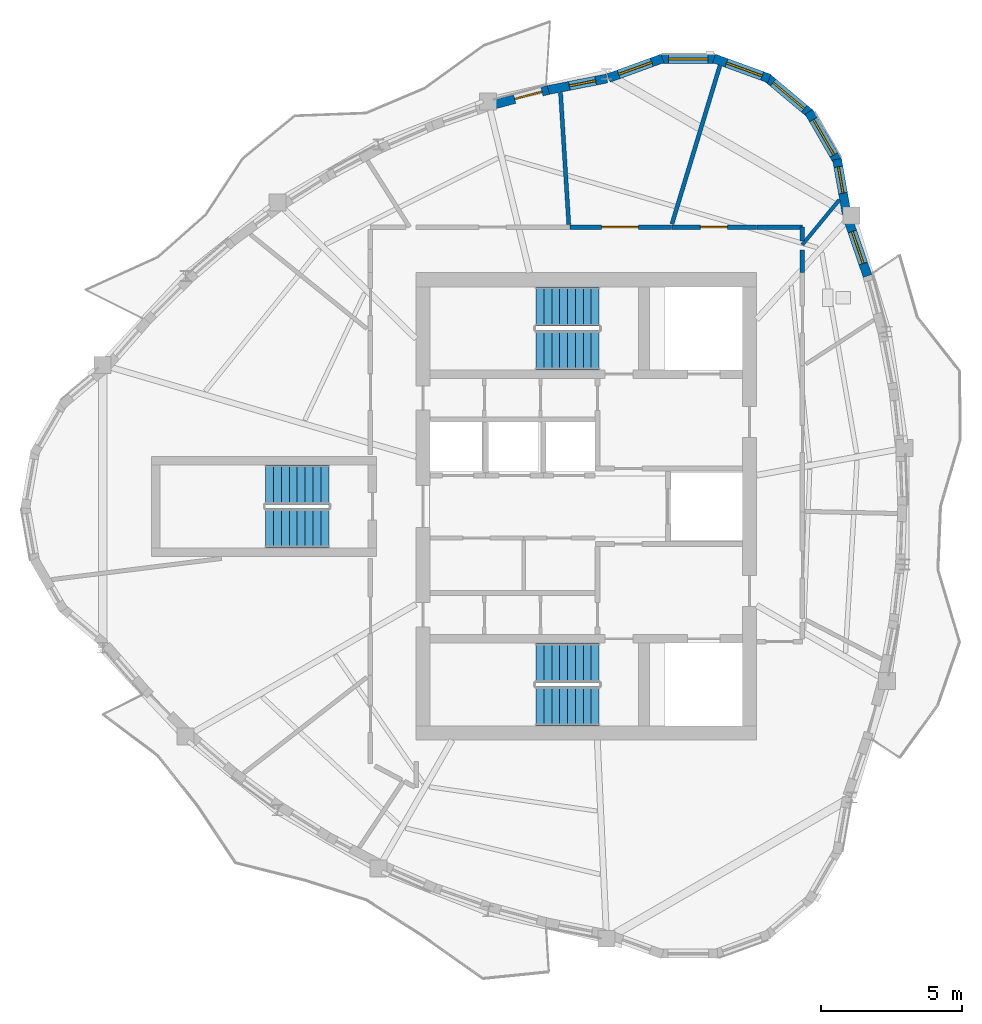
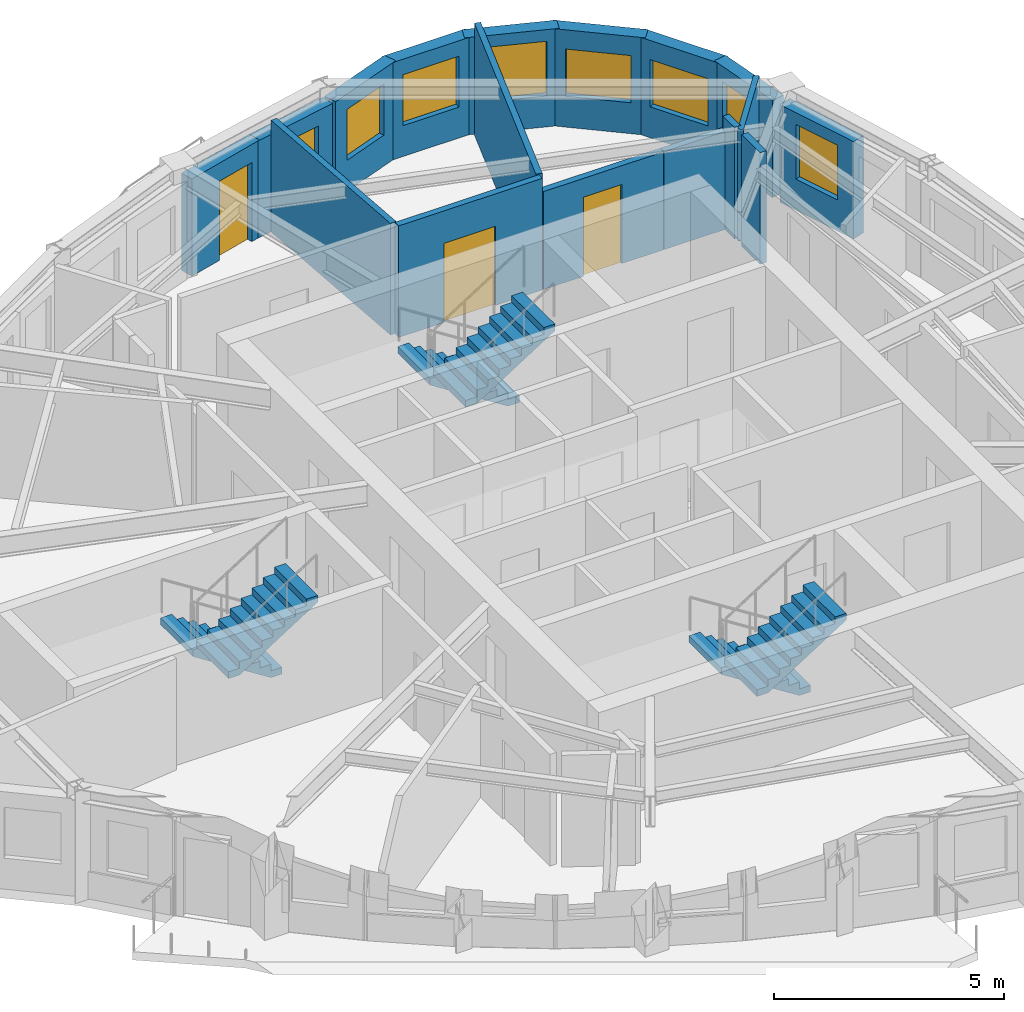
# One storey, part 7 of 11: 17 walls, 8 windows, 6 stair flights, 3 doors, 11 openings, 3 elements without a shape of their own.
"""IFC4 building model written with IfcOpenShell, lengths in metres."""

from ifc_helpers import new_model, si_unit, direction, frame, frame_2d, origin, place, context, subcontext, project, spatial, polyline, rectangle, outline, extrude, source, transform, mapped, material, layer, layer_set, type_object, element, fill, aggregate, save


model = new_model("IFC4")

# Units and contexts
model_context = context("Model", 3, precision=1e-05, world=origin(), true_north=direction((0.0, 1.0)))
body_context = subcontext(model_context, "Body", "Model", "MODEL_VIEW")
ifc_project = project(units=[si_unit("LENGTHUNIT", "METRE"), si_unit("AREAUNIT", "SQUARE_METRE"), si_unit("VOLUMEUNIT", "CUBIC_METRE"), si_unit("PLANEANGLEUNIT", "RADIAN"), si_unit("MASSUNIT", "GRAM", prefix="KILO")], contexts=[model_context])

# Site, building, storey
site_placement = place(None, origin())
site = spatial("IfcSite", under=ifc_project, at=site_placement, CompositionType="ELEMENT")
building_placement = place(site_placement, origin())
building = spatial("IfcBuilding", under=site, at=building_placement, Name="Qafzar Sky-Pleat Residences", CompositionType="ELEMENT")
storey_placement = place(building_placement, frame((0.0, 0.0, 246.800048828125)))
storey = spatial("IfcBuildingStorey", under=building, at=storey_placement, Name="L74", CompositionType="ELEMENT", Elevation=246.800048828125)

# Wall, opening, door
ifc_material_1 = material(Name="Acoustic gypsum plasterboard partition", Category="gypsum")
ifc_layer_1 = layer(ifc_material_1, 0.159912109375)
ifc_layer_set_1 = layer_set([ifc_layer_1], Name="Acoustic gypsum plasterboard partition")
wall_type_1 = type_object("IfcWallType", Name="PART-COR-160", PredefinedType="PARTITIONING", material=ifc_layer_set_1)
wall_1_placement = place(storey_placement, frame((29.760986328125, 35.919921875, 0.0), z_axis=(0.0, 0.0, 1.0), x_axis=(1.0, 0.0, 0.0)))
wall_1 = element("IfcWall", 1, at=wall_1_placement, inside=storey, type_object=wall_type_1, Name="L74 Partition Wall PART-L74-PW-006", PredefinedType="PARTITIONING", context=body_context, shape_type="SweptSolid", body=[
    extrude(rectangle(XDim=3.610107421875, YDim=0.159912109375, at=frame_2d((1.80517578125, 0.0))), origin(), (0.0, 0.0, 1.0), 2.9599609375),
])
opening_1_placement = place(wall_1_placement, frame((1.132568359375, 0.0, 0.0)))
opening_1 = element("IfcOpeningElement", 2, at=opening_1_placement, cuts=wall_1, Name="Opening ID-05", PredefinedType="OPENING", context=body_context, shape_type="SweptSolid", body=[
    extrude(rectangle(XDim=1.300048828125, YDim=2.10009765625, at=frame_2d((0.64990234375, 1.050048828125))), frame((0.0, 0.08984375, 0.0), z_axis=(0.0, -1.0, 0.0), x_axis=(1.0, 0.0, 0.0)), (0.0, 0.0, 1.0), 0.179931640625),
])
ifc_material_2 = material(Name="Timber-faced fire door", Category="wood")
door_type_1 = type_object("IfcDoorType", Name="DR-LNG-1300", OperationType="DOUBLE_DOOR_SINGLE_SWING", PredefinedType="DOOR", material=ifc_material_2)
shared_shape_1 = source(origin(), body_context, "Body", "SweptSolid", [
    extrude(rectangle(XDim=1.300048828125, YDim=2.10009765625, at=frame_2d((0.64990234375, 1.050048828125))), frame((0.0, 0.02490234375, 0.0), z_axis=(0.0, -1.0, 0.0), x_axis=(1.0, 0.0, 0.0)), (0.0, 0.0, 1.0), 0.050048828125),
])
door_1_placement = place(opening_1_placement, origin())
door_1 = element("IfcDoor", 3, at=door_1_placement, inside=storey, type_object=door_type_1, Name="L74 Graduate Lecture Room Door", OperationType="DOUBLE_DOOR_SINGLE_SWING", OverallHeight=2.10009765625, OverallWidth=1.300048828125, PredefinedType="DOOR", context=body_context, shape_type="MappedRepresentation", body=[
    mapped(shared_shape_1, transform((0.0, 0.0, 0.0), x_axis=(1.0, 0.0, 0.0), y_axis=(0.0, 1.0, 0.0), z_axis=(0.0, 0.0, 1.0), scale=1.0)),
])
fill(opening_1, door_1)

wall_2_placement = place(storey_placement, frame((33.385986328125, 35.919921875, 0.0), z_axis=(0.0, 0.0, 1.0), x_axis=(1.0, 0.0, 0.0)))
wall_2 = element("IfcWall", 4, at=wall_2_placement, inside=storey, type_object=wall_type_1, Name="L74 Partition Wall PART-L74-PW-009", PredefinedType="PARTITIONING", context=body_context, shape_type="SweptSolid", body=[
    extrude(rectangle(XDim=3.013916015625, YDim=0.159912109375, at=frame_2d((1.5068359375, 0.0))), origin(), (0.0, 0.0, 1.0), 2.597900390625),
])
opening_2_placement = place(wall_2_placement, frame((1.011962890625, 0.0, 0.0)))
opening_2 = element("IfcOpeningElement", 5, at=opening_2_placement, cuts=wall_2, Name="Opening ID-06", PredefinedType="OPENING", context=body_context, shape_type="SweptSolid", body=[
    extrude(rectangle(XDim=0.9599609375, YDim=2.10009765625, at=frame_2d((0.47998046875, 1.050048828125))), frame((0.0, 0.08984375, 0.0), z_axis=(0.0, -1.0, 0.0), x_axis=(1.0, 0.0, 0.0)), (0.0, 0.0, 1.0), 0.179931640625),
])
door_type_2 = type_object("IfcDoorType", Name="DR-STD-960", OperationType="NOTDEFINED", PredefinedType="DOOR", material=ifc_material_2)
shared_shape_2 = source(origin(), body_context, "Body", "SweptSolid", [
    extrude(rectangle(XDim=0.9599609375, YDim=2.10009765625, at=frame_2d((0.47998046875, 1.050048828125))), frame((0.0, 0.02490234375, 0.0), z_axis=(0.0, -1.0, 0.0), x_axis=(1.0, 0.0, 0.0)), (0.0, 0.0, 1.0), 0.050048828125),
])
door_2_placement = place(opening_2_placement, origin())
door_2 = element("IfcDoor", 6, at=door_2_placement, inside=storey, type_object=door_type_2, Name="L74 Faculty Research Office Door", OperationType="SINGLE_SWING_RIGHT", OverallHeight=2.10009765625, OverallWidth=0.9599609375, PredefinedType="DOOR", context=body_context, shape_type="MappedRepresentation", body=[
    mapped(shared_shape_2, transform((0.0, 0.0, 0.0), x_axis=(1.0, 0.0, 0.0), y_axis=(0.0, 1.0, 0.0), z_axis=(0.0, 0.0, 1.0), scale=1.0)),
])
fill(opening_2, door_2)

# Walls
wall_3_placement = place(storey_placement, frame((36.4150390625, 35.919921875, 0.0), z_axis=(0.0, 0.0, 1.0), x_axis=(1.0, 0.0, 0.0)))
element("IfcWall", 7, at=wall_3_placement, inside=storey, type_object=wall_type_1, Name="L74 Partition Wall PART-L74-PW-023", PredefinedType="PARTITIONING", context=body_context, shape_type="SweptSolid", body=[
    extrude(rectangle(XDim=1.60498046875, YDim=0.159912109375, at=frame_2d((0.802490234375, 0.0))), origin(), (0.0, 0.0, 1.0), 2.597900390625),
])
wall_4_placement = place(storey_placement, frame((38.02001953125, 34.31494140625, 0.0), z_axis=(0.0, 0.0, 1.0), x_axis=(0.0, 1.0, 0.0)))
element("IfcWall", 8, at=wall_4_placement, inside=storey, type_object=wall_type_1, Name="L74 Partition Wall PART-L74-PW-026", PredefinedType="PARTITIONING", context=body_context, shape_type="SweptSolid", body=[
    extrude(rectangle(XDim=0.7958984375, YDim=0.159912109375, at=frame_2d((0.39794921875, 0.0))), origin(), (0.0, 0.0, 1.0), 2.9599609375),
])
wall_5_placement = place(storey_placement, frame((38.02001953125, 35.423095703125, 0.0), z_axis=(0.0, 0.0, 1.0), x_axis=(0.0, 1.0, 0.0)))
element("IfcWall", 9, at=wall_5_placement, inside=storey, type_object=wall_type_1, Name="L74 Partition Wall PART-L74-PW-031", PredefinedType="PARTITIONING", context=body_context, shape_type="SweptSolid", body=[
    extrude(rectangle(XDim=0.496826171875, YDim=0.159912109375, at=frame_2d((0.24853515625, 0.0))), origin(), (0.0, 0.0, 1.0), 2.9599609375),
])
ifc_layer_2 = layer(ifc_material_1, 0.14501953125)
ifc_layer_set_2 = layer_set([ifc_layer_2], Name="Acoustic gypsum plasterboard partition")
wall_type_2 = type_object("IfcWallType", Name="PART-UNIT-145", PredefinedType="PARTITIONING", material=ifc_layer_set_2)
wall_6_placement = place(storey_placement, frame((33.388916015625, 36.02880859375, 0.0), z_axis=(0.0, 0.0, 1.0), x_axis=(0.289965875663, 0.957036985153, 0.0)))
element("IfcWall", 10, at=wall_6_placement, inside=storey, type_object=wall_type_2, Name="L74 Partition Wall PART-L74-PW-013", PredefinedType="PARTITIONING", context=body_context, shape_type="SweptSolid", body=[
    extrude(rectangle(XDim=5.875244140625, YDim=0.14501953125, at=frame_2d((2.9375, 0.0))), origin(), (0.0, 0.0, 1.0), 2.9599609375),
])
wall_7_placement = place(storey_placement, frame((29.4326171875, 40.693603515625, 0.0), z_axis=(0.0, 0.0, 1.0), x_axis=(0.062358842424, -0.998053793526, 0.0)))
element("IfcWall", 11, at=wall_7_placement, inside=storey, type_object=wall_type_2, Name="L74 Partition Wall PART-L74-PW-016", PredefinedType="PARTITIONING", context=body_context, shape_type="SweptSolid", body=[
    extrude(rectangle(XDim=4.690185546875, YDim=0.14501953125, at=frame_2d((2.34521484375, 0.0))), origin(), (0.0, 0.0, 1.0), 2.9599609375),
])
ifc_material_3 = material(Name="Moisture-resistant gypsum partition", Category="gypsum")
ifc_layer_3 = layer(ifc_material_3, 0.1298828125)
ifc_layer_set_3 = layer_set([ifc_layer_3], Name="Moisture-resistant gypsum partition")
wall_type_3 = type_object("IfcWallType", Name="PART-WET-130", PredefinedType="PARTITIONING", material=ifc_layer_set_3)
wall_8_placement = place(storey_placement, frame((38.02001953125, 35.2939453125, 0.0), z_axis=(0.0, 0.0, 1.0), x_axis=(0.636518208935, 0.771261673943, 0.0)))
element("IfcWall", 12, at=wall_8_placement, inside=storey, type_object=wall_type_3, Name="L74 Partition Wall PART-L74-PW-022", PredefinedType="PARTITIONING", context=body_context, shape_type="SweptSolid", body=[
    extrude(rectangle(XDim=2.0673828125, YDim=0.1298828125, at=frame_2d((1.03369140625, 0.0))), origin(), (0.0, 0.0, 1.0), 2.9599609375),
])

# Wall, opening, window
ifc_material_4 = material(Name="Precast concrete C40/50 with honed Riyadh limestone", Category="concrete")
ifc_layer_4 = layer(ifc_material_4, 0.320068359375)
ifc_layer_set_4 = layer_set([ifc_layer_4], Name="Precast concrete C40/50 with honed Riyadh limestone")
wall_type_4 = type_object("IfcWallType", Name="WALL-EXT-320", PredefinedType="SOLIDWALL", material=ifc_layer_set_4)
wall_9_placement = place(storey_placement, frame((40.33544921875, 34.18115234375, 0.0), z_axis=(0.0, 0.0, 1.0), x_axis=(-0.323601383087, 0.946193502865, 0.0)))
wall_9 = element("IfcWall", 13, at=wall_9_placement, inside=storey, type_object=wall_type_4, Name="L74 Limestone Facade Wall 32", PredefinedType="SOLIDWALL", context=body_context, shape_type="SweptSolid", body=[
    extrude(rectangle(XDim=2.1328125, YDim=0.320068359375, at=frame_2d((1.06640625, 0.0))), origin(), (0.0, 0.0, 1.0), 2.579833984375),
])
opening_3_placement = place(wall_9_placement, frame((0.471435546875, 0.0, 0.820068359375)))
opening_3 = element("IfcOpeningElement", 14, at=opening_3_placement, cuts=wall_9, Name="Opening WN-05", PredefinedType="OPENING", context=body_context, shape_type="SweptSolid", body=[
    extrude(rectangle(XDim=1.199951171875, YDim=1.449951171875, at=frame_2d((0.60009765625, 0.72509765625))), frame((0.0, 0.169921875, 0.0), z_axis=(0.0, -1.0, 0.0), x_axis=(1.0, 0.0, 0.0)), (0.0, 0.0, 1.0), 0.340087890625),
])
ifc_material_5 = material(Name="Solar-control low-E glass in bronze aluminium frame", Category="glass")
window_type_1 = type_object("IfcWindowType", Name="WIN-05", PartitioningType="SINGLE_PANEL", PredefinedType="WINDOW", material=ifc_material_5)
shared_shape_3 = source(origin(), body_context, "Body", "SweptSolid", [
    extrude(rectangle(XDim=1.199951171875, YDim=1.449951171875, at=frame_2d((0.60009765625, 0.72509765625))), frame((0.0, 0.030029296875, 0.0), z_axis=(0.0, -1.0, 0.0), x_axis=(1.0, 0.0, 0.0)), (0.0, 0.0, 1.0), 0.06005859375),
])
window_1_placement = place(opening_3_placement, origin())
window_1 = element("IfcWindow", 15, at=window_1_placement, inside=storey, type_object=window_type_1, Name="L74 Punched Facade Window 32", OverallHeight=1.449951171875, OverallWidth=1.199951171875, PartitioningType="SINGLE_PANEL", PredefinedType="WINDOW", context=body_context, shape_type="MappedRepresentation", body=[
    mapped(shared_shape_3, transform((0.0, 0.0, 0.0), x_axis=(1.0, 0.0, 0.0), y_axis=(0.0, 1.0, 0.0), z_axis=(0.0, 0.0, 1.0), scale=1.0)),
])
fill(opening_3, window_1)

wall_10_placement = place(storey_placement, frame((39.59423828125, 36.396728515625, 0.0), z_axis=(0.0, 0.0, 1.0), x_axis=(-0.173671780312, 0.984803590937, 0.0)))
wall_10 = element("IfcWall", 16, at=wall_10_placement, inside=storey, type_object=wall_type_4, Name="L74 Limestone Facade Wall 33", PredefinedType="SOLIDWALL", context=body_context, shape_type="SweptSolid", body=[
    extrude(rectangle(XDim=1.96240234375, YDim=0.320068359375, at=frame_2d((0.981201171875, 0.0))), origin(), (0.0, 0.0, 1.0), 2.579833984375),
])
opening_4_placement = place(wall_10_placement, frame((0.739013671875, 0.0, 0.820068359375)))
opening_4 = element("IfcOpeningElement", 17, at=opening_4_placement, cuts=wall_10, Name="Opening WN-12", PredefinedType="OPENING", context=body_context, shape_type="SweptSolid", body=[
    extrude(rectangle(XDim=0.949951171875, YDim=1.35009765625, at=frame_2d((0.47509765625, 0.675048828125))), frame((0.0, 0.169921875, 0.0), z_axis=(0.0, -1.0, 0.0), x_axis=(1.0, 0.0, 0.0)), (0.0, 0.0, 1.0), 0.340087890625),
])
window_type_2 = type_object("IfcWindowType", Name="WIN-12", PartitioningType="SINGLE_PANEL", PredefinedType="WINDOW", material=ifc_material_5)
shared_shape_4 = source(origin(), body_context, "Body", "SweptSolid", [
    extrude(rectangle(XDim=0.949951171875, YDim=1.35009765625, at=frame_2d((0.47509765625, 0.675048828125))), frame((0.0, 0.030029296875, 0.0), z_axis=(0.0, -1.0, 0.0), x_axis=(1.0, 0.0, 0.0)), (0.0, 0.0, 1.0), 0.06005859375),
])
window_2_placement = place(opening_4_placement, origin())
window_2 = element("IfcWindow", 18, at=window_2_placement, inside=storey, type_object=window_type_2, Name="L74 Punched Facade Window 33-2", OverallHeight=1.35009765625, OverallWidth=0.949951171875, PartitioningType="SINGLE_PANEL", PredefinedType="WINDOW", context=body_context, shape_type="MappedRepresentation", body=[
    mapped(shared_shape_4, transform((0.0, 0.0, 0.0), x_axis=(1.0, 0.0, 0.0), y_axis=(0.0, 1.0, 0.0), z_axis=(0.0, 0.0, 1.0), scale=1.0)),
])
fill(opening_4, window_2)

wall_11_placement = place(storey_placement, frame((39.298095703125, 38.206787109375, 0.0), z_axis=(0.0, 0.0, 1.0), x_axis=(-0.499995423472, 0.866028046028, 0.0)))
wall_11 = element("IfcWall", 19, at=wall_11_placement, inside=storey, type_object=wall_type_4, Name="L74 Limestone Facade Wall 34", PredefinedType="SOLIDWALL", context=body_context, shape_type="SweptSolid", body=[
    extrude(rectangle(XDim=2.09033203125, YDim=0.320068359375, at=frame_2d((1.045166015625, 0.0))), origin(), (0.0, 0.0, 1.0), 2.579833984375),
])
opening_5_placement = place(wall_11_placement, frame((0.3203125, 0.0, 0.820068359375)))
opening_5 = element("IfcOpeningElement", 20, at=opening_5_placement, cuts=wall_11, Name="Opening WN-15", PredefinedType="OPENING", context=body_context, shape_type="SweptSolid", body=[
    extrude(rectangle(XDim=1.449951171875, YDim=1.25, at=frame_2d((0.72509765625, 0.625))), frame((0.0, 0.169921875, 0.0), z_axis=(0.0, -1.0, 0.0), x_axis=(1.0, 0.0, 0.0)), (0.0, 0.0, 1.0), 0.340087890625),
])
window_type_3 = type_object("IfcWindowType", Name="WIN-15", PartitioningType="SINGLE_PANEL", PredefinedType="WINDOW", material=ifc_material_5)
shared_shape_5 = source(origin(), body_context, "Body", "SweptSolid", [
    extrude(rectangle(XDim=1.449951171875, YDim=1.25, at=frame_2d((0.72509765625, 0.625))), frame((0.0, 0.030029296875, 0.0), z_axis=(0.0, -1.0, 0.0), x_axis=(1.0, 0.0, 0.0)), (0.0, 0.0, 1.0), 0.06005859375),
])
window_3_placement = place(opening_5_placement, origin())
window_3 = element("IfcWindow", 21, at=window_3_placement, inside=storey, type_object=window_type_3, Name="L74 Punched Facade Window 34", OverallHeight=1.25, OverallWidth=1.449951171875, PartitioningType="SINGLE_PANEL", PredefinedType="WINDOW", context=body_context, shape_type="MappedRepresentation", body=[
    mapped(shared_shape_5, transform((0.0, 0.0, 0.0), x_axis=(1.0, 0.0, 0.0), y_axis=(0.0, 1.0, 0.0), z_axis=(0.0, 0.0, 1.0), scale=1.0)),
])
fill(opening_5, window_3)

wall_12_placement = place(storey_placement, frame((38.3369140625, 39.917236328125, 0.0), z_axis=(0.0, 0.0, 1.0), x_axis=(-0.766024572719, 0.642811289563, 0.0)))
wall_12 = element("IfcWall", 22, at=wall_12_placement, inside=storey, type_object=wall_type_4, Name="L74 Limestone Facade Wall 35", PredefinedType="SOLIDWALL", context=body_context, shape_type="SweptSolid", body=[
    extrude(rectangle(XDim=2.09033203125, YDim=0.320068359375, at=frame_2d((1.045166015625, 0.0))), origin(), (0.0, 0.0, 1.0), 2.579833984375),
])
opening_6_placement = place(wall_12_placement, frame((0.3203125, 0.0, 0.820068359375)))
opening_6 = element("IfcOpeningElement", 23, at=opening_6_placement, cuts=wall_12, Name="Opening WN-15", PredefinedType="OPENING", context=body_context, shape_type="SweptSolid", body=[
    extrude(rectangle(XDim=1.449951171875, YDim=1.25, at=frame_2d((0.72509765625, 0.625))), frame((0.0, 0.169921875, 0.0), z_axis=(0.0, -1.0, 0.0), x_axis=(1.0, 0.0, 0.0)), (0.0, 0.0, 1.0), 0.340087890625),
])
window_4_placement = place(opening_6_placement, origin())
window_4 = element("IfcWindow", 24, at=window_4_placement, inside=storey, type_object=window_type_3, Name="L74 Punched Facade Window 35", OverallHeight=1.25, OverallWidth=1.449951171875, PartitioningType="SINGLE_PANEL", PredefinedType="WINDOW", context=body_context, shape_type="MappedRepresentation", body=[
    mapped(shared_shape_5, transform((0.0, 0.0, 0.0), x_axis=(1.0, 0.0, 0.0), y_axis=(0.0, 1.0, 0.0), z_axis=(0.0, 0.0, 1.0), scale=1.0)),
])
fill(opening_6, window_4)

wall_13_placement = place(storey_placement, frame((36.848388671875, 41.19580078125, 0.0), z_axis=(0.0, 0.0, 1.0), x_axis=(-0.93973543134, 0.341902499383, 0.0)))
wall_13 = element("IfcWall", 25, at=wall_13_placement, inside=storey, type_object=wall_type_4, Name="L74 Limestone Facade Wall 36", PredefinedType="SOLIDWALL", context=body_context, shape_type="SweptSolid", body=[
    extrude(rectangle(XDim=2.090087890625, YDim=0.320068359375, at=frame_2d((1.044921875, 0.0))), origin(), (0.0, 0.0, 1.0), 2.579833984375),
])
opening_7_placement = place(wall_13_placement, frame((0.2685546875, 0.0, 0.820068359375)))
opening_7 = element("IfcOpeningElement", 26, at=opening_7_placement, cuts=wall_13, Name="Opening WN-04", PredefinedType="OPENING", context=body_context, shape_type="SweptSolid", body=[
    extrude(rectangle(XDim=1.35009765625, YDim=1.449951171875, at=frame_2d((0.675048828125, 0.72509765625))), frame((0.0, 0.169921875, 0.0), z_axis=(0.0, -1.0, 0.0), x_axis=(1.0, 0.0, 0.0)), (0.0, 0.0, 1.0), 0.340087890625),
])
window_type_4 = type_object("IfcWindowType", Name="WIN-04", PartitioningType="SINGLE_PANEL", PredefinedType="WINDOW", material=ifc_material_5)
shared_shape_6 = source(origin(), body_context, "Body", "SweptSolid", [
    extrude(rectangle(XDim=1.35009765625, YDim=1.449951171875, at=frame_2d((0.675048828125, 0.72509765625))), frame((0.0, 0.030029296875, 0.0), z_axis=(0.0, -1.0, 0.0), x_axis=(1.0, 0.0, 0.0)), (0.0, 0.0, 1.0), 0.06005859375),
])
window_5_placement = place(opening_7_placement, origin())
window_5 = element("IfcWindow", 27, at=window_5_placement, inside=storey, type_object=window_type_4, Name="L74 Punched Facade Window 36", OverallHeight=1.449951171875, OverallWidth=1.35009765625, PartitioningType="SINGLE_PANEL", PredefinedType="WINDOW", context=body_context, shape_type="MappedRepresentation", body=[
    mapped(shared_shape_6, transform((0.0, 0.0, 0.0), x_axis=(1.0, 0.0, 0.0), y_axis=(0.0, 1.0, 0.0), z_axis=(0.0, 0.0, 1.0), scale=1.0)),
])
fill(opening_7, window_5)

wall_14_placement = place(storey_placement, frame((35.0126953125, 41.887939453125, 0.0), z_axis=(0.0, 0.0, 1.0), x_axis=(-1.0, 0.0, 0.0)))
wall_14 = element("IfcWall", 28, at=wall_14_placement, inside=storey, type_object=wall_type_4, Name="L74 Limestone Facade Wall 37", PredefinedType="SOLIDWALL", context=body_context, shape_type="SweptSolid", body=[
    extrude(rectangle(XDim=2.09033203125, YDim=0.320068359375, at=frame_2d((1.045166015625, 0.0))), origin(), (0.0, 0.0, 1.0), 2.579833984375),
])
opening_8_placement = place(wall_14_placement, frame((0.34521484375, 0.0, 0.820068359375)))
opening_8 = element("IfcOpeningElement", 29, at=opening_8_placement, cuts=wall_14, Name="Opening WN-10", PredefinedType="OPENING", context=body_context, shape_type="SweptSolid", body=[
    extrude(rectangle(XDim=1.39990234375, YDim=1.35009765625, at=frame_2d((0.699951171875, 0.675048828125))), frame((0.0, 0.169921875, 0.0), z_axis=(0.0, -1.0, 0.0), x_axis=(1.0, 0.0, 0.0)), (0.0, 0.0, 1.0), 0.340087890625),
])
window_type_5 = type_object("IfcWindowType", Name="WIN-10", PartitioningType="SINGLE_PANEL", PredefinedType="WINDOW", material=ifc_material_5)
shared_shape_7 = source(origin(), body_context, "Body", "SweptSolid", [
    extrude(rectangle(XDim=1.39990234375, YDim=1.35009765625, at=frame_2d((0.699951171875, 0.675048828125))), frame((0.0, 0.030029296875, 0.0), z_axis=(0.0, -1.0, 0.0), x_axis=(1.0, 0.0, 0.0)), (0.0, 0.0, 1.0), 0.06005859375),
])
window_6_placement = place(opening_8_placement, origin())
window_6 = element("IfcWindow", 30, at=window_6_placement, inside=storey, type_object=window_type_5, Name="L74 Punched Facade Window 37", OverallHeight=1.35009765625, OverallWidth=1.39990234375, PartitioningType="SINGLE_PANEL", PredefinedType="WINDOW", context=body_context, shape_type="MappedRepresentation", body=[
    mapped(shared_shape_7, transform((0.0, 0.0, 0.0), x_axis=(1.0, 0.0, 0.0), y_axis=(0.0, 1.0, 0.0), z_axis=(0.0, 0.0, 1.0), scale=1.0)),
])
fill(opening_8, window_6)

wall_15_placement = place(storey_placement, frame((33.05078125, 41.910400390625, 0.0), z_axis=(0.0, 0.0, 1.0), x_axis=(-0.939730268502, -0.341916689358, 0.0)))
wall_15 = element("IfcWall", 31, at=wall_15_placement, inside=storey, type_object=wall_type_4, Name="L74 Limestone Facade Wall 38", PredefinedType="SOLIDWALL", context=body_context, shape_type="SweptSolid", body=[
    extrude(rectangle(XDim=2.0322265625, YDim=0.320068359375, at=frame_2d((1.01611328125, 0.0))), origin(), (0.0, 0.0, 1.0), 2.579833984375),
])
opening_9_placement = place(wall_15_placement, frame((0.401123046875, 0.0, 0.820068359375)))
opening_9 = element("IfcOpeningElement", 32, at=opening_9_placement, cuts=wall_15, Name="Opening WN-11", PredefinedType="OPENING", context=body_context, shape_type="SweptSolid", body=[
    extrude(rectangle(XDim=1.25, YDim=1.35009765625, at=frame_2d((0.625, 0.675048828125))), frame((0.0, 0.169921875, 0.0), z_axis=(0.0, -1.0, 0.0), x_axis=(1.0, 0.0, 0.0)), (0.0, 0.0, 1.0), 0.340087890625),
])
window_type_6 = type_object("IfcWindowType", Name="WIN-11", PartitioningType="SINGLE_PANEL", PredefinedType="WINDOW", material=ifc_material_5)
shared_shape_8 = source(origin(), body_context, "Body", "SweptSolid", [
    extrude(rectangle(XDim=1.25, YDim=1.35009765625, at=frame_2d((0.625, 0.675048828125))), frame((0.0, 0.030029296875, 0.0), z_axis=(0.0, -1.0, 0.0), x_axis=(1.0, 0.0, 0.0)), (0.0, 0.0, 1.0), 0.06005859375),
])
window_7_placement = place(opening_9_placement, origin())
window_7 = element("IfcWindow", 33, at=window_7_placement, inside=storey, type_object=window_type_6, Name="L74 Punched Facade Window 38", OverallHeight=1.35009765625, OverallWidth=1.25, PartitioningType="SINGLE_PANEL", PredefinedType="WINDOW", context=body_context, shape_type="MappedRepresentation", body=[
    mapped(shared_shape_8, transform((0.0, 0.0, 0.0), x_axis=(1.0, 0.0, 0.0), y_axis=(0.0, 1.0, 0.0), z_axis=(0.0, 0.0, 1.0), scale=1.0)),
])
fill(opening_9, window_7)

wall_16_placement = place(storey_placement, frame((31.07861328125, 41.197998046875, 0.0), z_axis=(0.0, 0.0, 1.0), x_axis=(-0.981223354781, -0.192874902544, 0.0)))
wall_16 = element("IfcWall", 34, at=wall_16_placement, inside=storey, type_object=wall_type_4, Name="L74 Limestone Facade Wall 39", PredefinedType="SOLIDWALL", context=body_context, shape_type="SweptSolid", body=[
    extrude(rectangle(XDim=2.202392578125, YDim=0.320068359375, at=frame_2d((1.10107421875, 0.0))), origin(), (0.0, 0.0, 1.0), 2.579833984375),
])
opening_10_placement = place(wall_16_placement, frame((0.4091796875, 0.0, 0.820068359375)))
opening_10 = element("IfcOpeningElement", 35, at=opening_10_placement, cuts=wall_16, Name="Opening WN-12", PredefinedType="OPENING", context=body_context, shape_type="SweptSolid", body=[
    extrude(rectangle(XDim=0.949951171875, YDim=1.35009765625, at=frame_2d((0.47509765625, 0.675048828125))), frame((0.0, 0.169921875, 0.0), z_axis=(0.0, -1.0, 0.0), x_axis=(1.0, 0.0, 0.0)), (0.0, 0.0, 1.0), 0.340087890625),
])
window_8_placement = place(opening_10_placement, origin())
window_8 = element("IfcWindow", 36, at=window_8_placement, inside=storey, type_object=window_type_2, Name="L74 Punched Facade Window 39", OverallHeight=1.35009765625, OverallWidth=0.949951171875, PartitioningType="SINGLE_PANEL", PredefinedType="WINDOW", context=body_context, shape_type="MappedRepresentation", body=[
    mapped(shared_shape_4, transform((0.0, 0.0, 0.0), x_axis=(1.0, 0.0, 0.0), y_axis=(0.0, 1.0, 0.0), z_axis=(0.0, 0.0, 1.0), scale=1.0)),
])
fill(opening_10, window_8)

# Wall, opening, door
wall_17_placement = place(storey_placement, frame((29.002197265625, 40.79296875, 0.0), z_axis=(0.0, 0.0, 1.0), x_axis=(-0.965467637734, -0.260523013357, 0.0)))
wall_17 = element("IfcWall", 37, at=wall_17_placement, inside=storey, type_object=wall_type_4, Name="L74 Limestone Facade Wall 40", PredefinedType="SOLIDWALL", context=body_context, shape_type="SweptSolid", body=[
    extrude(rectangle(XDim=2.0869140625, YDim=0.320068359375, at=frame_2d((1.04345703125, 0.0))), origin(), (0.0, 0.0, 1.0), 2.579833984375),
])
opening_11_placement = place(wall_17_placement, frame((0.239990234375, 0.0, 0.0)))
opening_11 = element("IfcOpeningElement", 38, at=opening_11_placement, cuts=wall_17, Name="Opening ED-05", PredefinedType="OPENING", context=body_context, shape_type="SweptSolid", body=[
    extrude(rectangle(XDim=1.0, YDim=2.10009765625, at=frame_2d((0.5, 1.050048828125))), frame((0.0, 0.169921875, 0.0), z_axis=(0.0, -1.0, 0.0), x_axis=(1.0, 0.0, 0.0)), (0.0, 0.0, 1.0), 0.340087890625),
])
ifc_material_6 = material(Name="Glazed bronze aluminium door", Category="aluminium")
door_type_3 = type_object("IfcDoorType", Name="DR-BAL-1000", OperationType="NOTDEFINED", PredefinedType="DOOR", material=ifc_material_6)
shared_shape_9 = source(origin(), body_context, "Body", "SweptSolid", [
    extrude(rectangle(XDim=1.0, YDim=2.10009765625, at=frame_2d((0.5, 1.050048828125))), frame((0.0, 0.02490234375, 0.0), z_axis=(0.0, -1.0, 0.0), x_axis=(1.0, 0.0, 0.0)), (0.0, 0.0, 1.0), 0.050048828125),
])
door_3_placement = place(opening_11_placement, origin())
door_3 = element("IfcDoor", 39, at=door_3_placement, inside=storey, type_object=door_type_3, Name="L74 Glazed Balcony Door 2", OperationType="SINGLE_SWING_LEFT", OverallHeight=2.10009765625, OverallWidth=1.0, PredefinedType="DOOR", context=body_context, shape_type="MappedRepresentation", body=[
    mapped(shared_shape_9, transform((0.0, 0.0, 0.0), x_axis=(1.0, 0.0, 0.0), y_axis=(0.0, 1.0, 0.0), z_axis=(0.0, 0.0, 1.0), scale=1.0)),
])
fill(opening_11, door_3)

# Stair, stair flights
ifc_material_7 = material(Name="Concrete C40/50", Category="concrete")
stair_type = type_object("IfcStairType", Name="STAIR-H320", PredefinedType="HALF_TURN_STAIR", material=ifc_material_7)
stair_1_placement = place(storey_placement, origin())
stair_1 = element("IfcStair", 40, at=stair_1_placement, inside=storey, type_object=stair_type, Name="L74 Protected Exit Stair ST1", PredefinedType="HALF_TURN_STAIR")
stair_flight_type = type_object("IfcStairFlightType", Name="FLIGHT-H320", PredefinedType="STRAIGHT", material=ifc_material_7)
shared_shape_10 = source(origin(), body_context, "Body", "SweptSolid", [
    extrude(outline(polyline([(0.0, 0.0), (0.0, 0.177734375), (0.280029296875, 0.177734375), (0.280029296875, 0.35546875), (0.56005859375, 0.35546875), (0.56005859375, 0.533447265625), (0.840087890625, 0.533447265625), (0.840087890625, 0.711181640625), (1.1201171875, 0.711181640625), (1.1201171875, 0.888916015625), (1.39990234375, 0.888916015625), (1.39990234375, 1.066650390625), (1.679931640625, 1.066650390625), (1.679931640625, 1.244384765625), (1.9599609375, 1.244384765625), (1.9599609375, 1.422119140625), (2.239990234375, 1.422119140625), (2.239990234375, 1.60009765625), (2.239990234375, 1.24462890625), (0.27978515625, 0.0), (0.0, 0.0)])), frame((0.0, 0.699951171875, 0.0), z_axis=(0.0, -1.0, 0.0), x_axis=(1.0, 0.0, 0.0)), (0.0, 0.0, 1.0), 1.39990234375),
])
stair_flight_1_placement = place(storey_placement, frame((30.800048828125, 20.449951171875, 0.0), z_axis=(0.0, 0.0, 1.0), x_axis=(-1.0, 0.0, 0.0)))
stair_flight_1 = element("IfcStairFlight", 41, at=stair_flight_1_placement, type_object=stair_flight_type, Name="ST1 flight 1", NumberOfRisers=9, NumberOfTreads=8, PredefinedType="STRAIGHT", RiserHeight=0.177777778, TreadLength=0.28, context=body_context, shape_type="MappedRepresentation", body=[
    mapped(shared_shape_10, transform((0.0, 0.0, 0.0), x_axis=(1.0, 0.0, 0.0), y_axis=(0.0, 1.0, 0.0), z_axis=(0.0, 0.0, 1.0), scale=1.0)),
])
stair_flight_2_placement = place(storey_placement, frame((28.56005859375, 18.89990234375, 1.599853515625), z_axis=(0.0, 0.0, 1.0), x_axis=(1.0, 0.0, 0.0)))
stair_flight_2 = element("IfcStairFlight", 42, at=stair_flight_2_placement, type_object=stair_flight_type, Name="ST1 flight 2", NumberOfRisers=9, NumberOfTreads=8, PredefinedType="STRAIGHT", RiserHeight=0.177777778, TreadLength=0.28, context=body_context, shape_type="MappedRepresentation", body=[
    mapped(shared_shape_10, transform((0.0, 0.0, 0.0), x_axis=(1.0, 0.0, 0.0), y_axis=(0.0, 1.0, 0.0), z_axis=(0.0, 0.0, 1.0), scale=1.0)),
])
aggregate(stair_1, [stair_flight_1, stair_flight_2])

stair_2_placement = place(storey_placement, origin())
stair_2 = element("IfcStair", 43, at=stair_2_placement, inside=storey, type_object=stair_type, Name="L74 Protected Exit Stair ST2", PredefinedType="HALF_TURN_STAIR")
stair_flight_3_placement = place(storey_placement, frame((30.800048828125, 33.10009765625, 0.0), z_axis=(0.0, 0.0, 1.0), x_axis=(-1.0, 0.0, 0.0)))
stair_flight_3 = element("IfcStairFlight", 44, at=stair_flight_3_placement, type_object=stair_flight_type, Name="ST2 flight 1", NumberOfRisers=9, NumberOfTreads=8, PredefinedType="STRAIGHT", RiserHeight=0.177777778, TreadLength=0.28, context=body_context, shape_type="MappedRepresentation", body=[
    mapped(shared_shape_10, transform((0.0, 0.0, 0.0), x_axis=(1.0, 0.0, 0.0), y_axis=(0.0, 1.0, 0.0), z_axis=(0.0, 0.0, 1.0), scale=1.0)),
])
stair_flight_4_placement = place(storey_placement, frame((28.56005859375, 31.550048828125, 1.599853515625), z_axis=(0.0, 0.0, 1.0), x_axis=(1.0, 0.0, 0.0)))
stair_flight_4 = element("IfcStairFlight", 45, at=stair_flight_4_placement, type_object=stair_flight_type, Name="ST2 flight 2", NumberOfRisers=9, NumberOfTreads=8, PredefinedType="STRAIGHT", RiserHeight=0.177777778, TreadLength=0.28, context=body_context, shape_type="MappedRepresentation", body=[
    mapped(shared_shape_10, transform((0.0, 0.0, 0.0), x_axis=(1.0, 0.0, 0.0), y_axis=(0.0, 1.0, 0.0), z_axis=(0.0, 0.0, 1.0), scale=1.0)),
])
aggregate(stair_2, [stair_flight_3, stair_flight_4])

stair_3_placement = place(storey_placement, origin())
stair_3 = element("IfcStair", 46, at=stair_3_placement, inside=storey, type_object=stair_type, Name="L74 Protected Exit Stair ST3", PredefinedType="HALF_TURN_STAIR")
stair_flight_5_placement = place(storey_placement, frame((21.199951171875, 26.77490234375, 0.0), z_axis=(0.0, 0.0, 1.0), x_axis=(-1.0, 0.0, 0.0)))
stair_flight_5 = element("IfcStairFlight", 47, at=stair_flight_5_placement, type_object=stair_flight_type, Name="ST3 flight 1", NumberOfRisers=9, NumberOfTreads=8, PredefinedType="STRAIGHT", RiserHeight=0.177777778, TreadLength=0.28, context=body_context, shape_type="MappedRepresentation", body=[
    mapped(shared_shape_10, transform((0.0, 0.0, 0.0), x_axis=(1.0, 0.0, 0.0), y_axis=(0.0, 1.0, 0.0), z_axis=(0.0, 0.0, 1.0), scale=1.0)),
])
stair_flight_6_placement = place(storey_placement, frame((18.9599609375, 25.22509765625, 1.599853515625), z_axis=(0.0, 0.0, 1.0), x_axis=(1.0, 0.0, 0.0)))
stair_flight_6 = element("IfcStairFlight", 48, at=stair_flight_6_placement, type_object=stair_flight_type, Name="ST3 flight 2", NumberOfRisers=9, NumberOfTreads=8, PredefinedType="STRAIGHT", RiserHeight=0.177777778, TreadLength=0.28, context=body_context, shape_type="MappedRepresentation", body=[
    mapped(shared_shape_10, transform((0.0, 0.0, 0.0), x_axis=(1.0, 0.0, 0.0), y_axis=(0.0, 1.0, 0.0), z_axis=(0.0, 0.0, 1.0), scale=1.0)),
])
aggregate(stair_3, [stair_flight_5, stair_flight_6])

save(model, "model.ifc")
